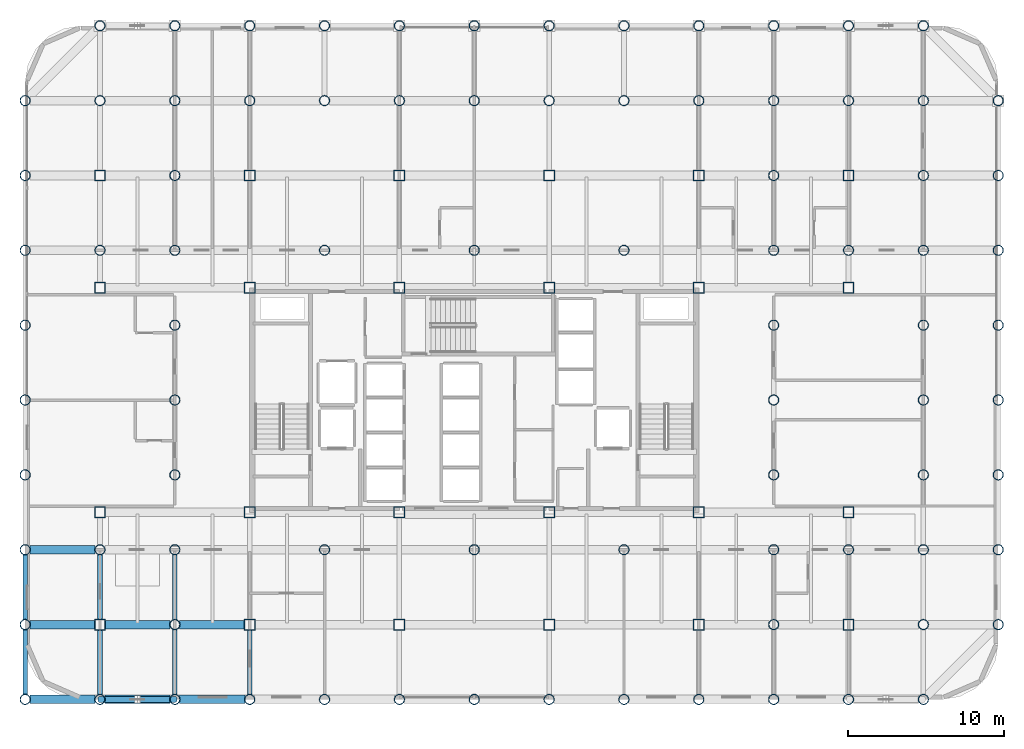
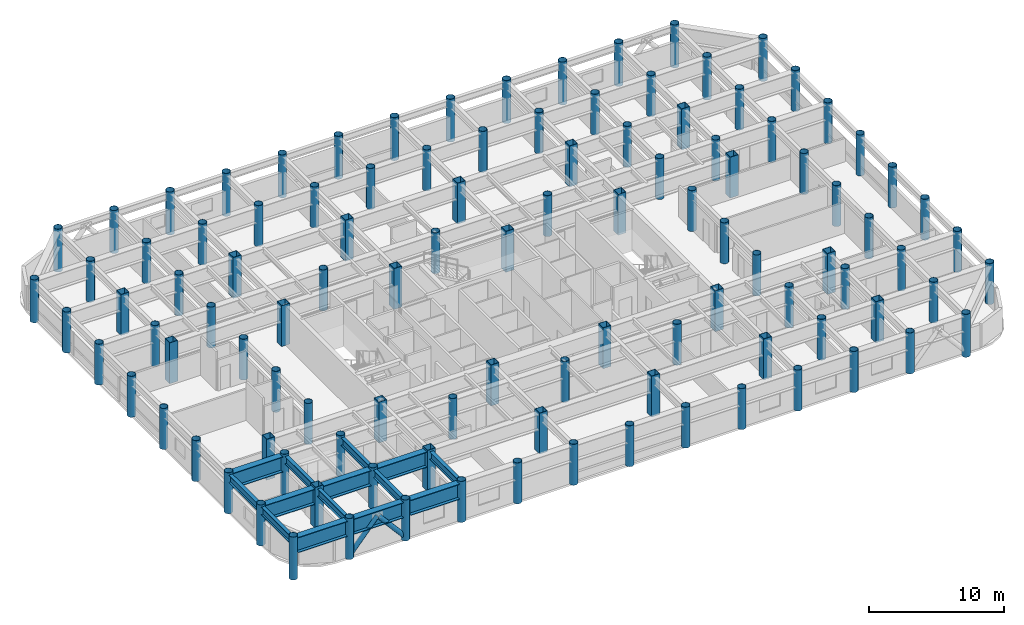
# One storey, part 1 of 22: 108 columns, 14 beams, 2 members.
"""IFC4 building model written with IfcOpenShell, lengths in metres."""

from ifc_helpers import new_model, si_unit, direction, frame, origin, origin_2d, place, context, subcontext, project, spatial, hollow_rectangle, hollow_circle, i_section, extrude, material, material_profile, profile_set, type_object, element, save


model = new_model("IFC4")

# Units and contexts
model_context = context("Model", 3, precision=1e-05, world=origin(), true_north=direction((0.0, 1.0)))
body_context = subcontext(model_context, "Body", "Model", "MODEL_VIEW")
ifc_project = project(units=[si_unit("LENGTHUNIT", "METRE"), si_unit("AREAUNIT", "SQUARE_METRE"), si_unit("VOLUMEUNIT", "CUBIC_METRE"), si_unit("PLANEANGLEUNIT", "RADIAN"), si_unit("MASSUNIT", "GRAM", prefix="KILO")], contexts=[model_context])

# Site, building, storey
site_placement = place(None, origin())
site = spatial("IfcSite", under=ifc_project, at=site_placement, CompositionType="ELEMENT")
building_placement = place(site_placement, origin())
building = spatial("IfcBuilding", under=site, at=building_placement, Name="Kallvorn Hotel Tower", CompositionType="ELEMENT")
storey_placement = place(building_placement, frame((0.0, 0.0, 95.199951171875)))
storey = spatial("IfcBuildingStorey", under=building, at=storey_placement, Name="L22", CompositionType="ELEMENT", Elevation=95.199951171875)

# Columns
ifc_material_1 = material(Name="Structural steel S355J2H", Category="steel")
ifc_material_profile_1 = material_profile(ifc_material_1, hollow_circle(Radius=0.330078125, WallThickness=0.028076171875, at=origin_2d()), Name="CHS 660x28")
ifc_profile_set_1 = profile_set([ifc_material_profile_1], Name="Structural steel S355J2H")
column_type_1 = type_object("IfcColumnType", Name="COL_CHS_660", PredefinedType="COLUMN", material=ifc_profile_set_1)
column_1_placement = place(storey_placement, frame((-28.800048828125, -19.199951171875, -0.179931640625), z_axis=(0.0, 0.0, 1.0), x_axis=(1.0, 0.0, 0.0)))
element("IfcColumn", 1, at=column_1_placement, inside=storey, type_object=column_type_1, Name="L22 Exoskeleton Column EC01", PredefinedType="COLUMN", context=body_context, shape_type="SweptSolid", body=[
    extrude(hollow_circle(Radius=0.330078125, WallThickness=0.028076171875, at=origin_2d()), origin(), (0.0, 0.0, 1.0), 3.8798828125),
])
for number, where, z_axis, x_axis, name in (
    (2, (-28.800048828125, -14.39990234375, 0.0), (0.0, 0.0, 1.0), (1.0, 0.0, 0.0), "L22 Exoskeleton Column EC02"),
    (3, (-28.800048828125, -9.60009765625, 0.0), (0.0, 0.0, 1.0), (1.0, 0.0, 0.0), "L22 Exoskeleton Column EC03"),
    (4, (-28.800048828125, -4.800048828125, 0.0), (0.0, 0.0, 1.0), (1.0, 0.0, 0.0), "L22 Exoskeleton Column EC04"),
    (5, (-28.800048828125, 0.0, 0.0), (0.0, 0.0, 1.0), (1.0, 0.0, 0.0), "L22 Exoskeleton Column EC05"),
    (6, (-28.800048828125, 4.800048828125, 0.0), (0.0, 0.0, 1.0), (1.0, 0.0, 0.0), "L22 Exoskeleton Column EC06"),
    (7, (-28.800048828125, 9.60009765625, 0.0), (0.0, 0.0, 1.0), (1.0, 0.0, 0.0), "L22 Exoskeleton Column EC07"),
    (8, (-28.800048828125, 14.39990234375, 0.0), (0.0, 0.0, 1.0), (1.0, 0.0, 0.0), "L22 Exoskeleton Column EC08"),
):
    element("IfcColumn", number, at=place(storey_placement, frame(where, z_axis=z_axis, x_axis=x_axis)), inside=storey, type_object=column_type_1, Name=name, PredefinedType="COLUMN", context=body_context, shape_type="SweptSolid", body=[
        extrude(hollow_circle(Radius=0.330078125, WallThickness=0.028076171875, at=origin_2d()), origin(), (0.0, 0.0, 1.0), 3.699951171875),
    ])
column_2_placement = place(storey_placement, frame((-28.800048828125, 19.199951171875, -0.179931640625), z_axis=(0.0, 0.0, 1.0), x_axis=(1.0, 0.0, 0.0)))
element("IfcColumn", 9, at=column_2_placement, inside=storey, type_object=column_type_1, Name="L22 Exoskeleton Column EC09", PredefinedType="COLUMN", context=body_context, shape_type="SweptSolid", body=[
    extrude(hollow_circle(Radius=0.330078125, WallThickness=0.028076171875, at=origin_2d()), origin(), (0.0, 0.0, 1.0), 3.8798828125),
])
for number, where, z_axis, x_axis, name in (
    (10, (-24.0, -19.199951171875, 0.0), (0.0, 0.0, 1.0), (1.0, 0.0, 0.0), "L22 Exoskeleton Column EC10"),
    (11, (-24.0, -9.60009765625, 0.0), (0.0, 0.0, 1.0), (1.0, 0.0, 0.0), "L22 Exoskeleton Column EC11"),
    (12, (-24.0, 9.60009765625, 0.0), (0.0, 0.0, 1.0), (1.0, 0.0, 0.0), "L22 Exoskeleton Column EC12"),
    (13, (-24.0, 19.199951171875, 0.0), (0.0, 0.0, 1.0), (1.0, 0.0, 0.0), "L22 Exoskeleton Column EC13"),
):
    element("IfcColumn", number, at=place(storey_placement, frame(where, z_axis=z_axis, x_axis=x_axis)), inside=storey, type_object=column_type_1, Name=name, PredefinedType="COLUMN", context=body_context, shape_type="SweptSolid", body=[
        extrude(hollow_circle(Radius=0.330078125, WallThickness=0.028076171875, at=origin_2d()), origin(), (0.0, 0.0, 1.0), 3.699951171875),
    ])
column_3_placement = place(storey_placement, frame((-24.0, 24.0, -0.179931640625), z_axis=(0.0, 0.0, 1.0), x_axis=(1.0, 0.0, 0.0)))
element("IfcColumn", 14, at=column_3_placement, inside=storey, type_object=column_type_1, Name="L22 Exoskeleton Column EC14", PredefinedType="COLUMN", context=body_context, shape_type="SweptSolid", body=[
    extrude(hollow_circle(Radius=0.330078125, WallThickness=0.028076171875, at=origin_2d()), origin(), (0.0, 0.0, 1.0), 3.8798828125),
])
for number, where, z_axis, x_axis, name in (
    (15, (-19.199951171875, -19.199951171875, 0.0), (0.0, 0.0, 1.0), (1.0, 0.0, 0.0), "L22 Exoskeleton Column EC15"),
    (16, (-19.199951171875, -14.39990234375, 0.0), (0.0, 0.0, 1.0), (1.0, 0.0, 0.0), "L22 Exoskeleton Column EC16"),
    (17, (-19.199951171875, -9.60009765625, 0.0), (0.0, 0.0, 1.0), (1.0, 0.0, 0.0), "L22 Exoskeleton Column EC17"),
    (18, (-19.199951171875, -4.800048828125, 0.0), (0.0, 0.0, 1.0), (1.0, 0.0, 0.0), "L22 Exoskeleton Column EC18"),
    (19, (-19.199951171875, 0.0, 0.0), (0.0, 0.0, 1.0), (1.0, 0.0, 0.0), "L22 Exoskeleton Column EC19"),
    (20, (-19.199951171875, 4.800048828125, 0.0), (0.0, 0.0, 1.0), (1.0, 0.0, 0.0), "L22 Exoskeleton Column EC20"),
    (21, (-19.199951171875, 9.60009765625, 0.0), (0.0, 0.0, 1.0), (1.0, 0.0, 0.0), "L22 Exoskeleton Column EC21"),
    (22, (-19.199951171875, 14.39990234375, 0.0), (0.0, 0.0, 1.0), (1.0, 0.0, 0.0), "L22 Exoskeleton Column EC22"),
    (23, (-19.199951171875, 19.199951171875, 0.0), (0.0, 0.0, 1.0), (1.0, 0.0, 0.0), "L22 Exoskeleton Column EC23"),
):
    element("IfcColumn", number, at=place(storey_placement, frame(where, z_axis=z_axis, x_axis=x_axis)), inside=storey, type_object=column_type_1, Name=name, PredefinedType="COLUMN", context=body_context, shape_type="SweptSolid", body=[
        extrude(hollow_circle(Radius=0.330078125, WallThickness=0.028076171875, at=origin_2d()), origin(), (0.0, 0.0, 1.0), 3.699951171875),
    ])
column_4_placement = place(storey_placement, frame((-19.199951171875, 24.0, -0.179931640625), z_axis=(0.0, 0.0, 1.0), x_axis=(1.0, 0.0, 0.0)))
element("IfcColumn", 24, at=column_4_placement, inside=storey, type_object=column_type_1, Name="L22 Exoskeleton Column EC24", PredefinedType="COLUMN", context=body_context, shape_type="SweptSolid", body=[
    extrude(hollow_circle(Radius=0.330078125, WallThickness=0.028076171875, at=origin_2d()), origin(), (0.0, 0.0, 1.0), 3.8798828125),
])
for number, where, z_axis, x_axis, name in (
    (25, (-14.39990234375, -19.199951171875, 0.0), (0.0, 0.0, 1.0), (1.0, 0.0, 0.0), "L22 Exoskeleton Column EC25"),
    (26, (-14.39990234375, 19.199951171875, 0.0), (0.0, 0.0, 1.0), (1.0, 0.0, 0.0), "L22 Exoskeleton Column EC26"),
):
    element("IfcColumn", number, at=place(storey_placement, frame(where, z_axis=z_axis, x_axis=x_axis)), inside=storey, type_object=column_type_1, Name=name, PredefinedType="COLUMN", context=body_context, shape_type="SweptSolid", body=[
        extrude(hollow_circle(Radius=0.330078125, WallThickness=0.028076171875, at=origin_2d()), origin(), (0.0, 0.0, 1.0), 3.699951171875),
    ])
column_5_placement = place(storey_placement, frame((-14.39990234375, 24.0, -0.179931640625), z_axis=(0.0, 0.0, 1.0), x_axis=(1.0, 0.0, 0.0)))
element("IfcColumn", 27, at=column_5_placement, inside=storey, type_object=column_type_1, Name="L22 Exoskeleton Column EC27", PredefinedType="COLUMN", context=body_context, shape_type="SweptSolid", body=[
    extrude(hollow_circle(Radius=0.330078125, WallThickness=0.028076171875, at=origin_2d()), origin(), (0.0, 0.0, 1.0), 3.8798828125),
])
for number, where, z_axis, x_axis, name in (
    (28, (-9.60009765625, -19.199951171875, 0.0), (0.0, 0.0, 1.0), (1.0, 0.0, 0.0), "L22 Exoskeleton Column EC28"),
    (29, (-9.60009765625, -9.60009765625, 0.0), (0.0, 0.0, 1.0), (1.0, 0.0, 0.0), "L22 Exoskeleton Column EC29"),
    (30, (-9.60009765625, 9.60009765625, 0.0), (0.0, 0.0, 1.0), (1.0, 0.0, 0.0), "L22 Exoskeleton Column EC30"),
    (31, (-9.60009765625, 19.199951171875, 0.0), (0.0, 0.0, 1.0), (1.0, 0.0, 0.0), "L22 Exoskeleton Column EC31"),
):
    element("IfcColumn", number, at=place(storey_placement, frame(where, z_axis=z_axis, x_axis=x_axis)), inside=storey, type_object=column_type_1, Name=name, PredefinedType="COLUMN", context=body_context, shape_type="SweptSolid", body=[
        extrude(hollow_circle(Radius=0.330078125, WallThickness=0.028076171875, at=origin_2d()), origin(), (0.0, 0.0, 1.0), 3.699951171875),
    ])
column_6_placement = place(storey_placement, frame((-9.60009765625, 24.0, -0.179931640625), z_axis=(0.0, 0.0, 1.0), x_axis=(1.0, 0.0, 0.0)))
element("IfcColumn", 32, at=column_6_placement, inside=storey, type_object=column_type_1, Name="L22 Exoskeleton Column EC32", PredefinedType="COLUMN", context=body_context, shape_type="SweptSolid", body=[
    extrude(hollow_circle(Radius=0.330078125, WallThickness=0.028076171875, at=origin_2d()), origin(), (0.0, 0.0, 1.0), 3.8798828125),
])
for number, where, z_axis, x_axis, name in (
    (33, (-4.800048828125, -19.199951171875, 0.0), (0.0, 0.0, 1.0), (1.0, 0.0, 0.0), "L22 Exoskeleton Column EC33"),
    (34, (-4.800048828125, 19.199951171875, 0.0), (0.0, 0.0, 1.0), (1.0, 0.0, 0.0), "L22 Exoskeleton Column EC34"),
):
    element("IfcColumn", number, at=place(storey_placement, frame(where, z_axis=z_axis, x_axis=x_axis)), inside=storey, type_object=column_type_1, Name=name, PredefinedType="COLUMN", context=body_context, shape_type="SweptSolid", body=[
        extrude(hollow_circle(Radius=0.330078125, WallThickness=0.028076171875, at=origin_2d()), origin(), (0.0, 0.0, 1.0), 3.699951171875),
    ])
column_7_placement = place(storey_placement, frame((-4.800048828125, 24.0, -0.179931640625), z_axis=(0.0, 0.0, 1.0), x_axis=(1.0, 0.0, 0.0)))
element("IfcColumn", 35, at=column_7_placement, inside=storey, type_object=column_type_1, Name="L22 Exoskeleton Column EC35", PredefinedType="COLUMN", context=body_context, shape_type="SweptSolid", body=[
    extrude(hollow_circle(Radius=0.330078125, WallThickness=0.028076171875, at=origin_2d()), origin(), (0.0, 0.0, 1.0), 3.8798828125),
])
for number, where, z_axis, x_axis, name in (
    (36, (0.0, -19.199951171875, 0.0), (0.0, 0.0, 1.0), (1.0, 0.0, 0.0), "L22 Exoskeleton Column EC36"),
    (37, (0.0, -9.60009765625, 0.0), (0.0, 0.0, 1.0), (1.0, 0.0, 0.0), "L22 Exoskeleton Column EC37"),
    (38, (0.0, 9.60009765625, 0.0), (0.0, 0.0, 1.0), (1.0, 0.0, 0.0), "L22 Exoskeleton Column EC38"),
    (39, (0.0, 19.199951171875, 0.0), (0.0, 0.0, 1.0), (1.0, 0.0, 0.0), "L22 Exoskeleton Column EC39"),
):
    element("IfcColumn", number, at=place(storey_placement, frame(where, z_axis=z_axis, x_axis=x_axis)), inside=storey, type_object=column_type_1, Name=name, PredefinedType="COLUMN", context=body_context, shape_type="SweptSolid", body=[
        extrude(hollow_circle(Radius=0.330078125, WallThickness=0.028076171875, at=origin_2d()), origin(), (0.0, 0.0, 1.0), 3.699951171875),
    ])
column_8_placement = place(storey_placement, frame((0.0, 24.0, -0.179931640625), z_axis=(0.0, 0.0, 1.0), x_axis=(1.0, 0.0, 0.0)))
element("IfcColumn", 40, at=column_8_placement, inside=storey, type_object=column_type_1, Name="L22 Exoskeleton Column EC40", PredefinedType="COLUMN", context=body_context, shape_type="SweptSolid", body=[
    extrude(hollow_circle(Radius=0.330078125, WallThickness=0.028076171875, at=origin_2d()), origin(), (0.0, 0.0, 1.0), 3.8798828125),
])
for number, where, z_axis, x_axis, name in (
    (41, (4.800048828125, -19.199951171875, 0.0), (0.0, 0.0, 1.0), (1.0, 0.0, 0.0), "L22 Exoskeleton Column EC41"),
    (42, (4.800048828125, 19.199951171875, 0.0), (0.0, 0.0, 1.0), (1.0, 0.0, 0.0), "L22 Exoskeleton Column EC42"),
):
    element("IfcColumn", number, at=place(storey_placement, frame(where, z_axis=z_axis, x_axis=x_axis)), inside=storey, type_object=column_type_1, Name=name, PredefinedType="COLUMN", context=body_context, shape_type="SweptSolid", body=[
        extrude(hollow_circle(Radius=0.330078125, WallThickness=0.028076171875, at=origin_2d()), origin(), (0.0, 0.0, 1.0), 3.699951171875),
    ])
column_9_placement = place(storey_placement, frame((4.800048828125, 24.0, -0.179931640625), z_axis=(0.0, 0.0, 1.0), x_axis=(1.0, 0.0, 0.0)))
element("IfcColumn", 43, at=column_9_placement, inside=storey, type_object=column_type_1, Name="L22 Exoskeleton Column EC43", PredefinedType="COLUMN", context=body_context, shape_type="SweptSolid", body=[
    extrude(hollow_circle(Radius=0.330078125, WallThickness=0.028076171875, at=origin_2d()), origin(), (0.0, 0.0, 1.0), 3.8798828125),
])
for number, where, z_axis, x_axis, name in (
    (44, (9.60009765625, -19.199951171875, 0.0), (0.0, 0.0, 1.0), (1.0, 0.0, 0.0), "L22 Exoskeleton Column EC44"),
    (45, (9.60009765625, -9.60009765625, 0.0), (0.0, 0.0, 1.0), (1.0, 0.0, 0.0), "L22 Exoskeleton Column EC45"),
    (46, (9.60009765625, 9.60009765625, 0.0), (0.0, 0.0, 1.0), (1.0, 0.0, 0.0), "L22 Exoskeleton Column EC46"),
    (47, (9.60009765625, 19.199951171875, 0.0), (0.0, 0.0, 1.0), (1.0, 0.0, 0.0), "L22 Exoskeleton Column EC47"),
):
    element("IfcColumn", number, at=place(storey_placement, frame(where, z_axis=z_axis, x_axis=x_axis)), inside=storey, type_object=column_type_1, Name=name, PredefinedType="COLUMN", context=body_context, shape_type="SweptSolid", body=[
        extrude(hollow_circle(Radius=0.330078125, WallThickness=0.028076171875, at=origin_2d()), origin(), (0.0, 0.0, 1.0), 3.699951171875),
    ])
column_10_placement = place(storey_placement, frame((9.60009765625, 24.0, -0.179931640625), z_axis=(0.0, 0.0, 1.0), x_axis=(1.0, 0.0, 0.0)))
element("IfcColumn", 48, at=column_10_placement, inside=storey, type_object=column_type_1, Name="L22 Exoskeleton Column EC48", PredefinedType="COLUMN", context=body_context, shape_type="SweptSolid", body=[
    extrude(hollow_circle(Radius=0.330078125, WallThickness=0.028076171875, at=origin_2d()), origin(), (0.0, 0.0, 1.0), 3.8798828125),
])
for number, where, z_axis, x_axis, name in (
    (49, (14.39990234375, -19.199951171875, 0.0), (0.0, 0.0, 1.0), (1.0, 0.0, 0.0), "L22 Exoskeleton Column EC49"),
    (50, (14.39990234375, 19.199951171875, 0.0), (0.0, 0.0, 1.0), (1.0, 0.0, 0.0), "L22 Exoskeleton Column EC50"),
):
    element("IfcColumn", number, at=place(storey_placement, frame(where, z_axis=z_axis, x_axis=x_axis)), inside=storey, type_object=column_type_1, Name=name, PredefinedType="COLUMN", context=body_context, shape_type="SweptSolid", body=[
        extrude(hollow_circle(Radius=0.330078125, WallThickness=0.028076171875, at=origin_2d()), origin(), (0.0, 0.0, 1.0), 3.699951171875),
    ])
column_11_placement = place(storey_placement, frame((14.39990234375, 24.0, -0.179931640625), z_axis=(0.0, 0.0, 1.0), x_axis=(1.0, 0.0, 0.0)))
element("IfcColumn", 51, at=column_11_placement, inside=storey, type_object=column_type_1, Name="L22 Exoskeleton Column EC51", PredefinedType="COLUMN", context=body_context, shape_type="SweptSolid", body=[
    extrude(hollow_circle(Radius=0.330078125, WallThickness=0.028076171875, at=origin_2d()), origin(), (0.0, 0.0, 1.0), 3.8798828125),
])
for number, where, z_axis, x_axis, name in (
    (52, (19.199951171875, -19.199951171875, 0.0), (0.0, 0.0, 1.0), (1.0, 0.0, 0.0), "L22 Exoskeleton Column EC52"),
    (53, (19.199951171875, -14.39990234375, 0.0), (0.0, 0.0, 1.0), (1.0, 0.0, 0.0), "L22 Exoskeleton Column EC53"),
    (54, (19.199951171875, -9.60009765625, 0.0), (0.0, 0.0, 1.0), (1.0, 0.0, 0.0), "L22 Exoskeleton Column EC54"),
    (55, (19.199951171875, -4.800048828125, 0.0), (0.0, 0.0, 1.0), (1.0, 0.0, 0.0), "L22 Exoskeleton Column EC55"),
    (56, (19.199951171875, 0.0, 0.0), (0.0, 0.0, 1.0), (1.0, 0.0, 0.0), "L22 Exoskeleton Column EC56"),
    (57, (19.199951171875, 4.800048828125, 0.0), (0.0, 0.0, 1.0), (1.0, 0.0, 0.0), "L22 Exoskeleton Column EC57"),
    (58, (19.199951171875, 9.60009765625, 0.0), (0.0, 0.0, 1.0), (1.0, 0.0, 0.0), "L22 Exoskeleton Column EC58"),
    (59, (19.199951171875, 14.39990234375, 0.0), (0.0, 0.0, 1.0), (1.0, 0.0, 0.0), "L22 Exoskeleton Column EC59"),
    (60, (19.199951171875, 19.199951171875, 0.0), (0.0, 0.0, 1.0), (1.0, 0.0, 0.0), "L22 Exoskeleton Column EC60"),
):
    element("IfcColumn", number, at=place(storey_placement, frame(where, z_axis=z_axis, x_axis=x_axis)), inside=storey, type_object=column_type_1, Name=name, PredefinedType="COLUMN", context=body_context, shape_type="SweptSolid", body=[
        extrude(hollow_circle(Radius=0.330078125, WallThickness=0.028076171875, at=origin_2d()), origin(), (0.0, 0.0, 1.0), 3.699951171875),
    ])
column_12_placement = place(storey_placement, frame((19.199951171875, 24.0, -0.179931640625), z_axis=(0.0, 0.0, 1.0), x_axis=(1.0, 0.0, 0.0)))
element("IfcColumn", 61, at=column_12_placement, inside=storey, type_object=column_type_1, Name="L22 Exoskeleton Column EC61", PredefinedType="COLUMN", context=body_context, shape_type="SweptSolid", body=[
    extrude(hollow_circle(Radius=0.330078125, WallThickness=0.028076171875, at=origin_2d()), origin(), (0.0, 0.0, 1.0), 3.8798828125),
])
for number, where, z_axis, x_axis, name in (
    (62, (24.0, -19.199951171875, 0.0), (0.0, 0.0, 1.0), (1.0, 0.0, 0.0), "L22 Exoskeleton Column EC62"),
    (63, (24.0, -9.60009765625, 0.0), (0.0, 0.0, 1.0), (1.0, 0.0, 0.0), "L22 Exoskeleton Column EC63"),
    (64, (24.0, 9.60009765625, 0.0), (0.0, 0.0, 1.0), (1.0, 0.0, 0.0), "L22 Exoskeleton Column EC64"),
    (65, (24.0, 19.199951171875, 0.0), (0.0, 0.0, 1.0), (1.0, 0.0, 0.0), "L22 Exoskeleton Column EC65"),
):
    element("IfcColumn", number, at=place(storey_placement, frame(where, z_axis=z_axis, x_axis=x_axis)), inside=storey, type_object=column_type_1, Name=name, PredefinedType="COLUMN", context=body_context, shape_type="SweptSolid", body=[
        extrude(hollow_circle(Radius=0.330078125, WallThickness=0.028076171875, at=origin_2d()), origin(), (0.0, 0.0, 1.0), 3.699951171875),
    ])
for number, where, z_axis, x_axis, name in (
    (66, (24.0, 24.0, -0.179931640625), (0.0, 0.0, 1.0), (1.0, 0.0, 0.0), "L22 Exoskeleton Column EC66"),
    (67, (28.800048828125, -19.199951171875, -0.179931640625), (0.0, 0.0, 1.0), (1.0, 0.0, 0.0), "L22 Exoskeleton Column EC67"),
):
    element("IfcColumn", number, at=place(storey_placement, frame(where, z_axis=z_axis, x_axis=x_axis)), inside=storey, type_object=column_type_1, Name=name, PredefinedType="COLUMN", context=body_context, shape_type="SweptSolid", body=[
        extrude(hollow_circle(Radius=0.330078125, WallThickness=0.028076171875, at=origin_2d()), origin(), (0.0, 0.0, 1.0), 3.8798828125),
    ])
for number, where, z_axis, x_axis, name in (
    (68, (28.800048828125, -14.39990234375, 0.0), (0.0, 0.0, 1.0), (1.0, 0.0, 0.0), "L22 Exoskeleton Column EC68"),
    (69, (28.800048828125, -9.60009765625, 0.0), (0.0, 0.0, 1.0), (1.0, 0.0, 0.0), "L22 Exoskeleton Column EC69"),
    (70, (28.800048828125, -4.800048828125, 0.0), (0.0, 0.0, 1.0), (1.0, 0.0, 0.0), "L22 Exoskeleton Column EC70"),
    (71, (28.800048828125, 0.0, 0.0), (0.0, 0.0, 1.0), (1.0, 0.0, 0.0), "L22 Exoskeleton Column EC71"),
    (72, (28.800048828125, 4.800048828125, 0.0), (0.0, 0.0, 1.0), (1.0, 0.0, 0.0), "L22 Exoskeleton Column EC72"),
    (73, (28.800048828125, 9.60009765625, 0.0), (0.0, 0.0, 1.0), (1.0, 0.0, 0.0), "L22 Exoskeleton Column EC73"),
    (74, (28.800048828125, 14.39990234375, 0.0), (0.0, 0.0, 1.0), (1.0, 0.0, 0.0), "L22 Exoskeleton Column EC74"),
):
    element("IfcColumn", number, at=place(storey_placement, frame(where, z_axis=z_axis, x_axis=x_axis)), inside=storey, type_object=column_type_1, Name=name, PredefinedType="COLUMN", context=body_context, shape_type="SweptSolid", body=[
        extrude(hollow_circle(Radius=0.330078125, WallThickness=0.028076171875, at=origin_2d()), origin(), (0.0, 0.0, 1.0), 3.699951171875),
    ])
for number, where, z_axis, x_axis, name in (
    (75, (28.800048828125, 19.199951171875, -0.179931640625), (0.0, 0.0, 1.0), (1.0, 0.0, 0.0), "L22 Exoskeleton Column EC75"),
    (76, (28.800048828125, 24.0, -0.179931640625), (0.0, 0.0, 1.0), (1.0, 0.0, 0.0), "L22 Exoskeleton Column EC76"),
):
    element("IfcColumn", number, at=place(storey_placement, frame(where, z_axis=z_axis, x_axis=x_axis)), inside=storey, type_object=column_type_1, Name=name, PredefinedType="COLUMN", context=body_context, shape_type="SweptSolid", body=[
        extrude(hollow_circle(Radius=0.330078125, WallThickness=0.028076171875, at=origin_2d()), origin(), (0.0, 0.0, 1.0), 3.8798828125),
    ])
for number, where, z_axis, x_axis, name in (
    (77, (33.60009765625, -14.39990234375, 0.0), (0.0, 0.0, 1.0), (1.0, 0.0, 0.0), "L22 Exoskeleton Column EC77"),
    (78, (33.60009765625, -9.60009765625, 0.0), (0.0, 0.0, 1.0), (1.0, 0.0, 0.0), "L22 Exoskeleton Column EC78"),
    (79, (33.60009765625, -4.800048828125, 0.0), (0.0, 0.0, 1.0), (1.0, 0.0, 0.0), "L22 Exoskeleton Column EC79"),
    (80, (33.60009765625, 0.0, 0.0), (0.0, 0.0, 1.0), (1.0, 0.0, 0.0), "L22 Exoskeleton Column EC80"),
    (81, (33.60009765625, 4.800048828125, 0.0), (0.0, 0.0, 1.0), (1.0, 0.0, 0.0), "L22 Exoskeleton Column EC81"),
    (82, (33.60009765625, 9.60009765625, 0.0), (0.0, 0.0, 1.0), (1.0, 0.0, 0.0), "L22 Exoskeleton Column EC82"),
    (83, (33.60009765625, 14.39990234375, 0.0), (0.0, 0.0, 1.0), (1.0, 0.0, 0.0), "L22 Exoskeleton Column EC83"),
):
    element("IfcColumn", number, at=place(storey_placement, frame(where, z_axis=z_axis, x_axis=x_axis)), inside=storey, type_object=column_type_1, Name=name, PredefinedType="COLUMN", context=body_context, shape_type="SweptSolid", body=[
        extrude(hollow_circle(Radius=0.330078125, WallThickness=0.028076171875, at=origin_2d()), origin(), (0.0, 0.0, 1.0), 3.699951171875),
    ])
column_13_placement = place(storey_placement, frame((33.60009765625, 19.199951171875, -0.179931640625), z_axis=(0.0, 0.0, 1.0), x_axis=(1.0, 0.0, 0.0)))
element("IfcColumn", 84, at=column_13_placement, inside=storey, type_object=column_type_1, Name="L22 Exoskeleton Column EC84", PredefinedType="COLUMN", context=body_context, shape_type="SweptSolid", body=[
    extrude(hollow_circle(Radius=0.330078125, WallThickness=0.028076171875, at=origin_2d()), origin(), (0.0, 0.0, 1.0), 3.8798828125),
])
ifc_material_2 = material(Name="Structural steel S355J2H", Category="steel")
ifc_material_profile_2 = material_profile(ifc_material_2, hollow_rectangle(XDim=0.699951171875, YDim=0.699951171875, WallThickness=0.031982421875, at=origin_2d()), Name="RHS 700x700x32")
ifc_profile_set_2 = profile_set([ifc_material_profile_2], Name="Structural steel S355J2H")
column_type_2 = type_object("IfcColumnType", Name="COL_RHS_700", PredefinedType="COLUMN", material=ifc_profile_set_2)
for number, where, z_axis, x_axis, name in (
    (85, (-24.0, -14.39990234375, 0.0), (0.0, 0.0, 1.0), (1.0, 0.0, 0.0), "L22 Inner Column IC01"),
    (86, (-24.0, -7.199951171875, 0.0), (0.0, 0.0, 1.0), (1.0, 0.0, 0.0), "L22 Inner Column IC02"),
    (87, (-24.0, 7.199951171875, 0.0), (0.0, 0.0, 1.0), (1.0, 0.0, 0.0), "L22 Inner Column IC03"),
    (88, (-24.0, 14.39990234375, 0.0), (0.0, 0.0, 1.0), (1.0, 0.0, 0.0), "L22 Inner Column IC04"),
    (89, (-14.39990234375, -14.39990234375, 0.0), (0.0, 0.0, 1.0), (1.0, 0.0, 0.0), "L22 Inner Column IC05"),
    (90, (-14.39990234375, -7.199951171875, 0.0), (0.0, 0.0, 1.0), (1.0, 0.0, 0.0), "L22 Inner Column IC06"),
    (91, (-14.39990234375, 7.199951171875, 0.0), (0.0, 0.0, 1.0), (1.0, 0.0, 0.0), "L22 Inner Column IC07"),
    (92, (-14.39990234375, 14.39990234375, 0.0), (0.0, 0.0, 1.0), (1.0, 0.0, 0.0), "L22 Inner Column IC08"),
    (93, (-4.800048828125, -14.39990234375, 0.0), (0.0, 0.0, 1.0), (1.0, 0.0, 0.0), "L22 Inner Column IC09"),
    (94, (-4.800048828125, -7.199951171875, 0.0), (0.0, 0.0, 1.0), (1.0, 0.0, 0.0), "L22 Inner Column IC10"),
    (95, (-4.800048828125, 7.199951171875, 0.0), (0.0, 0.0, 1.0), (1.0, 0.0, 0.0), "L22 Inner Column IC11"),
    (96, (-4.800048828125, 14.39990234375, 0.0), (0.0, 0.0, 1.0), (1.0, 0.0, 0.0), "L22 Inner Column IC12"),
    (97, (4.800048828125, -14.39990234375, 0.0), (0.0, 0.0, 1.0), (1.0, 0.0, 0.0), "L22 Inner Column IC13"),
    (98, (4.800048828125, -7.199951171875, 0.0), (0.0, 0.0, 1.0), (1.0, 0.0, 0.0), "L22 Inner Column IC14"),
    (99, (4.800048828125, 7.199951171875, 0.0), (0.0, 0.0, 1.0), (1.0, 0.0, 0.0), "L22 Inner Column IC15"),
    (100, (4.800048828125, 14.39990234375, 0.0), (0.0, 0.0, 1.0), (1.0, 0.0, 0.0), "L22 Inner Column IC16"),
    (101, (14.39990234375, -14.39990234375, 0.0), (0.0, 0.0, 1.0), (1.0, 0.0, 0.0), "L22 Inner Column IC17"),
    (102, (14.39990234375, -7.199951171875, 0.0), (0.0, 0.0, 1.0), (1.0, 0.0, 0.0), "L22 Inner Column IC18"),
    (103, (14.39990234375, 7.199951171875, 0.0), (0.0, 0.0, 1.0), (1.0, 0.0, 0.0), "L22 Inner Column IC19"),
    (104, (14.39990234375, 14.39990234375, 0.0), (0.0, 0.0, 1.0), (1.0, 0.0, 0.0), "L22 Inner Column IC20"),
    (105, (24.0, -14.39990234375, 0.0), (0.0, 0.0, 1.0), (1.0, 0.0, 0.0), "L22 Inner Column IC21"),
    (106, (24.0, -7.199951171875, 0.0), (0.0, 0.0, 1.0), (1.0, 0.0, 0.0), "L22 Inner Column IC22"),
    (107, (24.0, 7.199951171875, 0.0), (0.0, 0.0, 1.0), (1.0, 0.0, 0.0), "L22 Inner Column IC23"),
    (108, (24.0, 14.39990234375, 0.0), (0.0, 0.0, 1.0), (1.0, 0.0, 0.0), "L22 Inner Column IC24"),
):
    element("IfcColumn", number, at=place(storey_placement, frame(where, z_axis=z_axis, x_axis=x_axis)), inside=storey, type_object=column_type_2, Name=name, PredefinedType="COLUMN", context=body_context, shape_type="SweptSolid", body=[
        extrude(hollow_rectangle(XDim=0.699951171875, YDim=0.699951171875, WallThickness=0.031982421875, at=origin_2d()), origin(), (0.0, 0.0, 1.0), 3.699951171875),
    ])

# Beams
ifc_material_3 = material(Name="Structural steel S355JR", Category="steel")
ifc_material_profile_3 = material_profile(ifc_material_3, i_section(OverallWidth=0.300048828125, OverallDepth=0.699951171875, WebThickness=0.01708984375, FlangeThickness=0.031982421875, at=origin_2d()), Name="HE 700 B")
ifc_profile_set_3 = profile_set([ifc_material_profile_3], Name="Structural steel S355JR")
beam_type_1 = type_object("IfcBeamType", Name="BM_HE700B", PredefinedType="BEAM", material=ifc_profile_set_3)
for number, where, z_axis, x_axis, name in (
    (109, (-28.800048828125, -18.89501953125, 3.170166015625), (0.0, 1.0, 0.0), (-1.0, 0.0, 0.0), "L23 Primary Y-Girder 73"),
    (110, (-28.800048828125, -14.094970703125, 3.170166015625), (0.0, 1.0, 0.0), (-1.0, 0.0, 0.0), "L23 Primary Y-Girder 74"),
):
    element("IfcBeam", number, at=place(storey_placement, frame(where, z_axis=z_axis, x_axis=x_axis)), inside=storey, type_object=beam_type_1, Name=name, PredefinedType="BEAM", context=body_context, shape_type="SweptSolid", body=[
        extrude(i_section(OverallWidth=0.300048828125, OverallDepth=0.699951171875, WebThickness=0.01708984375, FlangeThickness=0.031982421875, at=origin_2d()), origin(), (0.0, 0.0, 1.0), 4.18994140625),
    ])
for number, where, z_axis, x_axis, name in (
    (111, (-24.0, -18.89501953125, 3.170166015625), (0.0, 1.0, 0.0), (-1.0, 0.0, 0.0), "L23 Primary Y-Girder 81"),
    (112, (-24.0, -14.074951171875, 3.170166015625), (0.0, 1.0, 0.0), (-1.0, 0.0, 0.0), "L23 Primary Y-Girder 82"),
):
    element("IfcBeam", number, at=place(storey_placement, frame(where, z_axis=z_axis, x_axis=x_axis)), inside=storey, type_object=beam_type_1, Name=name, PredefinedType="BEAM", context=body_context, shape_type="SweptSolid", body=[
        extrude(i_section(OverallWidth=0.300048828125, OverallDepth=0.699951171875, WebThickness=0.01708984375, FlangeThickness=0.031982421875, at=origin_2d()), origin(), (0.0, 0.0, 1.0), 4.169921875),
    ])
for number, where, z_axis, x_axis, name in (
    (113, (-19.199951171875, -18.89501953125, 3.170166015625), (0.0, 1.0, 0.0), (-1.0, 0.0, 0.0), "L23 Primary Y-Girder 88"),
    (114, (-19.199951171875, -14.094970703125, 3.170166015625), (0.0, 1.0, 0.0), (-1.0, 0.0, 0.0), "L23 Primary Y-Girder 89"),
):
    element("IfcBeam", number, at=place(storey_placement, frame(where, z_axis=z_axis, x_axis=x_axis)), inside=storey, type_object=beam_type_1, Name=name, PredefinedType="BEAM", context=body_context, shape_type="SweptSolid", body=[
        extrude(i_section(OverallWidth=0.300048828125, OverallDepth=0.699951171875, WebThickness=0.01708984375, FlangeThickness=0.031982421875, at=origin_2d()), origin(), (0.0, 0.0, 1.0), 4.18994140625),
    ])
beam_1_placement = place(storey_placement, frame((-14.39990234375, -18.89501953125, 3.170166015625), z_axis=(0.0, 1.0, 0.0), x_axis=(-1.0, 0.0, 0.0)))
element("IfcBeam", 115, at=beam_1_placement, inside=storey, type_object=beam_type_1, Name="L23 Primary Y-Girder 97", PredefinedType="BEAM", context=body_context, shape_type="SweptSolid", body=[
    extrude(i_section(OverallWidth=0.300048828125, OverallDepth=0.699951171875, WebThickness=0.01708984375, FlangeThickness=0.031982421875, at=origin_2d()), origin(), (0.0, 0.0, 1.0), 4.169921875),
])
ifc_material_4 = material(Name="Structural steel S355JR", Category="steel")
ifc_material_profile_4 = material_profile(ifc_material_4, i_section(OverallWidth=0.550048828125, OverallDepth=1.39990234375, WebThickness=0.02490234375, FlangeThickness=0.044921875, at=origin_2d()), Name="PG 1400x550x25x45")
ifc_profile_set_4 = profile_set([ifc_material_profile_4], Name="Structural steel S355JR")
beam_type_2 = type_object("IfcBeamType", Name="BM_PG_1400", PredefinedType="BEAM", material=ifc_profile_set_4)
for number, where, z_axis, x_axis, name in (
    (116, (-28.4951171875, -19.199951171875, 2.820068359375), (1.0, 0.0, 0.0), (0.0, 1.0, 0.0), "L23 Primary X-Girder 01"),
    (117, (-23.695068359375, -19.199951171875, 2.820068359375), (1.0, 0.0, 0.0), (0.0, 1.0, 0.0), "L23 Primary X-Girder 02"),
):
    element("IfcBeam", number, at=place(storey_placement, frame(where, z_axis=z_axis, x_axis=x_axis)), inside=storey, type_object=beam_type_2, Name=name, PredefinedType="BEAM", context=body_context, shape_type="SweptSolid", body=[
        extrude(i_section(OverallWidth=0.550048828125, OverallDepth=1.39990234375, WebThickness=0.02490234375, FlangeThickness=0.044921875, at=origin_2d()), origin(), (0.0, 0.0, 1.0), 4.190185546875),
    ])
beam_2_placement = place(storey_placement, frame((-18.89501953125, -19.199951171875, 2.820068359375), z_axis=(1.0, 0.0, 0.0), x_axis=(0.0, 1.0, 0.0)))
element("IfcBeam", 118, at=beam_2_placement, inside=storey, type_object=beam_type_2, Name="L23 Primary X-Girder 03", PredefinedType="BEAM", context=body_context, shape_type="SweptSolid", body=[
    extrude(i_section(OverallWidth=0.550048828125, OverallDepth=1.39990234375, WebThickness=0.02490234375, FlangeThickness=0.044921875, at=origin_2d()), origin(), (0.0, 0.0, 1.0), 4.18994140625),
])
for number, where, z_axis, x_axis, name in (
    (119, (-28.4951171875, -14.39990234375, 2.820068359375), (1.0, 0.0, 0.0), (0.0, 1.0, 0.0), "L23 Primary X-Girder 13"),
    (120, (-23.675048828125, -14.39990234375, 2.820068359375), (1.0, 0.0, 0.0), (0.0, 1.0, 0.0), "L23 Primary X-Girder 14"),
):
    element("IfcBeam", number, at=place(storey_placement, frame(where, z_axis=z_axis, x_axis=x_axis)), inside=storey, type_object=beam_type_2, Name=name, PredefinedType="BEAM", context=body_context, shape_type="SweptSolid", body=[
        extrude(i_section(OverallWidth=0.550048828125, OverallDepth=1.39990234375, WebThickness=0.02490234375, FlangeThickness=0.044921875, at=origin_2d()), origin(), (0.0, 0.0, 1.0), 4.170166015625),
    ])
beam_3_placement = place(storey_placement, frame((-18.89501953125, -14.39990234375, 2.820068359375), z_axis=(1.0, 0.0, 0.0), x_axis=(0.0, 1.0, 0.0)))
element("IfcBeam", 121, at=beam_3_placement, inside=storey, type_object=beam_type_2, Name="L23 Primary X-Girder 15", PredefinedType="BEAM", context=body_context, shape_type="SweptSolid", body=[
    extrude(i_section(OverallWidth=0.550048828125, OverallDepth=1.39990234375, WebThickness=0.02490234375, FlangeThickness=0.044921875, at=origin_2d()), origin(), (0.0, 0.0, 1.0), 4.169921875),
])
beam_4_placement = place(storey_placement, frame((-28.4951171875, -9.60009765625, 2.820068359375), z_axis=(1.0, 0.0, 0.0), x_axis=(0.0, 1.0, 0.0)))
element("IfcBeam", 122, at=beam_4_placement, inside=storey, type_object=beam_type_2, Name="L23 Primary X-Girder 23", PredefinedType="BEAM", context=body_context, shape_type="SweptSolid", body=[
    extrude(i_section(OverallWidth=0.550048828125, OverallDepth=1.39990234375, WebThickness=0.02490234375, FlangeThickness=0.044921875, at=origin_2d()), origin(), (0.0, 0.0, 1.0), 4.190185546875),
])

# Members
ifc_material_5 = material(Name="Structural steel S355J2H", Category="steel")
ifc_material_profile_5 = material_profile(ifc_material_5, hollow_circle(Radius=0.203125, WallThickness=0.01611328125, at=origin_2d()), Name="CHS 406.4x16")
ifc_profile_set_5 = profile_set([ifc_material_profile_5], Name="Structural steel S355J2H")
member_type = type_object("IfcMemberType", Name="MBR_EXO_CHS406", PredefinedType="BRACE", material=ifc_profile_set_5)
for number, where, z_axis, x_axis, name in (
    (123, (-23.98681640625, -19.199951171875, 0.195068359375), (0.653427382465, 0.0, 0.756989204576), (0.0, 1.0, 0.0), "L22 Exoskeleton K-Brace S1A"),
    (124, (-19.213134765625, -19.199951171875, 0.195068359375), (-0.653427382465, 0.0, 0.756989204576), (0.0, -1.0, 0.0), "L22 Exoskeleton K-Brace S1B"),
):
    element("IfcMember", number, at=place(storey_placement, frame(where, z_axis=z_axis, x_axis=x_axis)), inside=storey, type_object=member_type, Name=name, PredefinedType="BRACE", context=body_context, shape_type="SweptSolid", body=[
        extrude(hollow_circle(Radius=0.203125, WallThickness=0.01611328125, at=origin_2d()), origin(), (0.0, 0.0, 1.0), 3.6328125),
    ])

save(model, "model.ifc")
